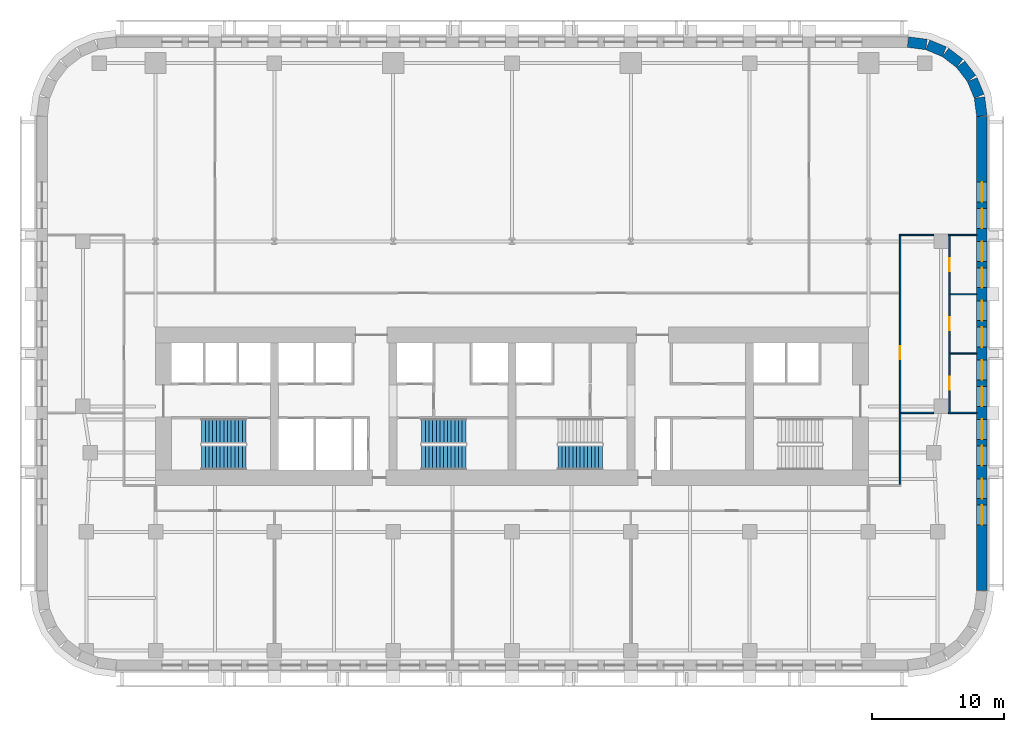
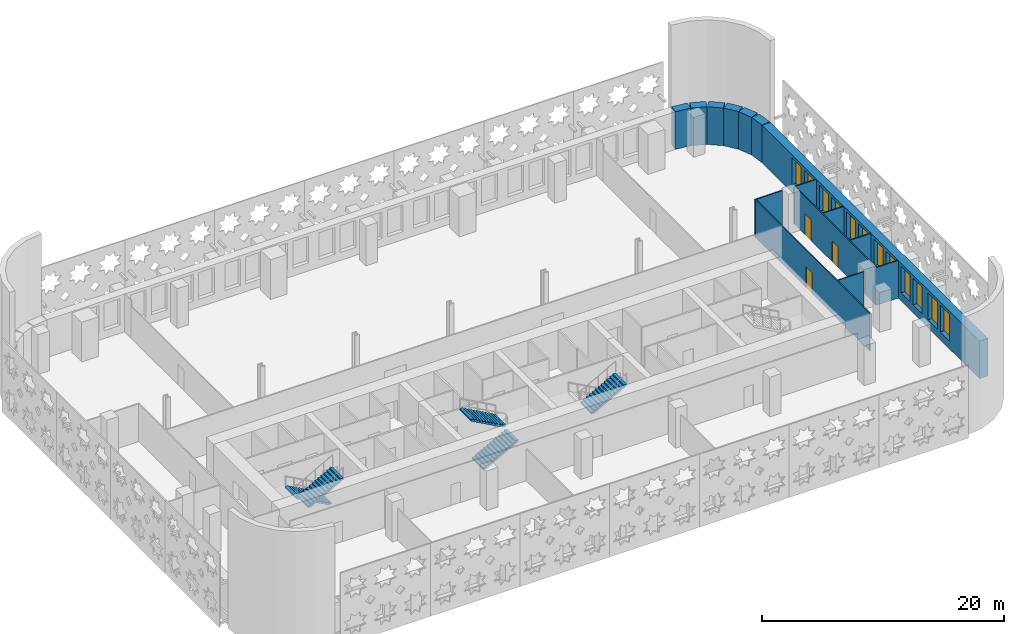
# One storey, part 7 of 13: 15 walls, 12 windows, 5 stair flights, 4 doors, 16 openings, 3 elements without a shape of their own.
"""IFC4 building model written with IfcOpenShell, lengths in metres."""

from ifc_helpers import new_model, si_unit, direction, frame, frame_2d, origin, place, context, subcontext, project, spatial, polyline, rectangle, outline, extrude, material, layer, layer_set, type_object, element, fill, aggregate, save


model = new_model("IFC4")

# Units and contexts
model_context = context("Model", 3, precision=1e-05, world=origin(), true_north=direction((0.0, 1.0)))
body_context = subcontext(model_context, "Body", "Model", "MODEL_VIEW")
ifc_project = project(units=[si_unit("LENGTHUNIT", "METRE"), si_unit("AREAUNIT", "SQUARE_METRE"), si_unit("VOLUMEUNIT", "CUBIC_METRE"), si_unit("PLANEANGLEUNIT", "RADIAN"), si_unit("MASSUNIT", "GRAM", prefix="KILO")], contexts=[model_context])

# Site, building, storey
site_placement = place(None, origin())
site = spatial("IfcSite", under=ifc_project, at=site_placement, CompositionType="ELEMENT")
building_placement = place(site_placement, origin())
building = spatial("IfcBuilding", under=site, at=building_placement, Name="Zellij Exchange Tower", CompositionType="ELEMENT")
storey_placement = place(building_placement, frame((0.0, 0.0, 52.5)))
storey = spatial("IfcBuildingStorey", under=building, at=storey_placement, Name="L09", CompositionType="ELEMENT", Elevation=52.5)

# Wall, openings, windows
ifc_material_1 = material(Name="Precast concrete C40/50", Category="concrete")
ifc_layer_1 = layer(ifc_material_1, 0.800048828125)
ifc_layer_set_1 = layer_set([ifc_layer_1], Name="Precast concrete C40/50")
wall_type_1 = type_object("IfcWallType", Name="ENV-EW1 Precast stone-piered wall 800", PredefinedType="SOLIDWALL", material=ifc_layer_set_1)
wall_1_placement = place(storey_placement, frame((35.60009765625, -21.947509765625, 0.0), z_axis=(0.0, 0.0, 1.0), x_axis=(0.0, 1.0, 0.0)))
wall_1 = element("IfcWall", 1, at=wall_1_placement, inside=storey, type_object=wall_type_1, Name="fac.L09.07", PredefinedType="SOLIDWALL", context=body_context, shape_type="SweptSolid", body=[
    extrude(rectangle(XDim=35.89501953125, YDim=0.800048828125, at=frame_2d((17.947509765625, 0.0))), origin(), (0.0, 0.0, 1.0), 3.800048828125),
])
opening_1_placement = place(wall_1_placement, frame((4.9638671875, 0.0, 0.800048828125)))
opening_1 = element("IfcOpeningElement", 2, at=opening_1_placement, cuts=wall_1, Name="Opening FZ1.25", PredefinedType="OPENING", context=body_context, shape_type="SweptSolid", body=[
    extrude(rectangle(XDim=1.5, YDim=2.699951171875, at=frame_2d((0.75, 1.35009765625))), frame((0.0, 0.412109375, 0.0), z_axis=(0.0, -1.0, 0.0), x_axis=(1.0, 0.0, 0.0)), (0.0, 0.0, 1.0), 0.823974609375),
])
opening_2_placement = place(wall_1_placement, frame((6.9638671875, 0.0, 0.800048828125)))
opening_2 = element("IfcOpeningElement", 3, at=opening_2_placement, cuts=wall_1, Name="Opening FZ1.26", PredefinedType="OPENING", context=body_context, shape_type="SweptSolid", body=[
    extrude(rectangle(XDim=1.5, YDim=2.699951171875, at=frame_2d((0.75, 1.35009765625))), frame((0.0, 0.412109375, 0.0), z_axis=(0.0, -1.0, 0.0), x_axis=(1.0, 0.0, 0.0)), (0.0, 0.0, 1.0), 0.823974609375),
])
opening_3_placement = place(wall_1_placement, frame((9.45751953125, 0.0, 0.800048828125)))
opening_3 = element("IfcOpeningElement", 4, at=opening_3_placement, cuts=wall_1, Name="Opening FZ1.27", PredefinedType="OPENING", context=body_context, shape_type="SweptSolid", body=[
    extrude(rectangle(XDim=1.5, YDim=2.699951171875, at=frame_2d((0.75, 1.35009765625))), frame((0.0, 0.412109375, 0.0), z_axis=(0.0, -1.0, 0.0), x_axis=(1.0, 0.0, 0.0)), (0.0, 0.0, 1.0), 0.823974609375),
])
opening_4_placement = place(wall_1_placement, frame((11.45751953125, 0.0, 0.800048828125)))
opening_4 = element("IfcOpeningElement", 5, at=opening_4_placement, cuts=wall_1, Name="Opening FZ1.28", PredefinedType="OPENING", context=body_context, shape_type="SweptSolid", body=[
    extrude(rectangle(XDim=1.5, YDim=2.699951171875, at=frame_2d((0.75, 1.35009765625))), frame((0.0, 0.412109375, 0.0), z_axis=(0.0, -1.0, 0.0), x_axis=(1.0, 0.0, 0.0)), (0.0, 0.0, 1.0), 0.823974609375),
])
opening_5_placement = place(wall_1_placement, frame((13.950927734375, 0.0, 0.800048828125)))
opening_5 = element("IfcOpeningElement", 6, at=opening_5_placement, cuts=wall_1, Name="Opening FZ1.29", PredefinedType="OPENING", context=body_context, shape_type="SweptSolid", body=[
    extrude(rectangle(XDim=1.5, YDim=2.699951171875, at=frame_2d((0.75, 1.35009765625))), frame((0.0, 0.412109375, 0.0), z_axis=(0.0, -1.0, 0.0), x_axis=(1.0, 0.0, 0.0)), (0.0, 0.0, 1.0), 0.823974609375),
])
opening_6_placement = place(wall_1_placement, frame((15.95068359375, 0.0, 0.800048828125)))
opening_6 = element("IfcOpeningElement", 7, at=opening_6_placement, cuts=wall_1, Name="Opening FZ1.30", PredefinedType="OPENING", context=body_context, shape_type="SweptSolid", body=[
    extrude(rectangle(XDim=1.5, YDim=2.699951171875, at=frame_2d((0.75, 1.35009765625))), frame((0.0, 0.412109375, 0.0), z_axis=(0.0, -1.0, 0.0), x_axis=(1.0, 0.0, 0.0)), (0.0, 0.0, 1.0), 0.823974609375),
])
opening_7_placement = place(wall_1_placement, frame((18.4443359375, 0.0, 0.800048828125)))
opening_7 = element("IfcOpeningElement", 8, at=opening_7_placement, cuts=wall_1, Name="Opening FZ1.31", PredefinedType="OPENING", context=body_context, shape_type="SweptSolid", body=[
    extrude(rectangle(XDim=1.5, YDim=2.699951171875, at=frame_2d((0.75, 1.35009765625))), frame((0.0, 0.412109375, 0.0), z_axis=(0.0, -1.0, 0.0), x_axis=(1.0, 0.0, 0.0)), (0.0, 0.0, 1.0), 0.823974609375),
])
opening_8_placement = place(wall_1_placement, frame((20.4443359375, 0.0, 0.800048828125)))
opening_8 = element("IfcOpeningElement", 9, at=opening_8_placement, cuts=wall_1, Name="Opening FZ1.32", PredefinedType="OPENING", context=body_context, shape_type="SweptSolid", body=[
    extrude(rectangle(XDim=1.5, YDim=2.699951171875, at=frame_2d((0.75, 1.35009765625))), frame((0.0, 0.412109375, 0.0), z_axis=(0.0, -1.0, 0.0), x_axis=(1.0, 0.0, 0.0)), (0.0, 0.0, 1.0), 0.823974609375),
])
opening_9_placement = place(wall_1_placement, frame((22.937744140625, 0.0, 0.800048828125)))
opening_9 = element("IfcOpeningElement", 10, at=opening_9_placement, cuts=wall_1, Name="Opening FZ1.33", PredefinedType="OPENING", context=body_context, shape_type="SweptSolid", body=[
    extrude(rectangle(XDim=1.5, YDim=2.699951171875, at=frame_2d((0.75, 1.35009765625))), frame((0.0, 0.412109375, 0.0), z_axis=(0.0, -1.0, 0.0), x_axis=(1.0, 0.0, 0.0)), (0.0, 0.0, 1.0), 0.823974609375),
])
opening_10_placement = place(wall_1_placement, frame((24.937744140625, 0.0, 0.800048828125)))
opening_10 = element("IfcOpeningElement", 11, at=opening_10_placement, cuts=wall_1, Name="Opening FZ1.34", PredefinedType="OPENING", context=body_context, shape_type="SweptSolid", body=[
    extrude(rectangle(XDim=1.5, YDim=2.699951171875, at=frame_2d((0.75, 1.35009765625))), frame((0.0, 0.412109375, 0.0), z_axis=(0.0, -1.0, 0.0), x_axis=(1.0, 0.0, 0.0)), (0.0, 0.0, 1.0), 0.823974609375),
])
opening_11_placement = place(wall_1_placement, frame((27.43115234375, 0.0, 0.800048828125)))
opening_11 = element("IfcOpeningElement", 12, at=opening_11_placement, cuts=wall_1, Name="Opening FZ1.35", PredefinedType="OPENING", context=body_context, shape_type="SweptSolid", body=[
    extrude(rectangle(XDim=1.5, YDim=2.699951171875, at=frame_2d((0.75, 1.35009765625))), frame((0.0, 0.412109375, 0.0), z_axis=(0.0, -1.0, 0.0), x_axis=(1.0, 0.0, 0.0)), (0.0, 0.0, 1.0), 0.823974609375),
])
opening_12_placement = place(wall_1_placement, frame((29.43115234375, 0.0, 0.800048828125)))
opening_12 = element("IfcOpeningElement", 13, at=opening_12_placement, cuts=wall_1, Name="Opening FZ1.36", PredefinedType="OPENING", context=body_context, shape_type="SweptSolid", body=[
    extrude(rectangle(XDim=1.5, YDim=2.699951171875, at=frame_2d((0.75, 1.35009765625))), frame((0.0, 0.412109375, 0.0), z_axis=(0.0, -1.0, 0.0), x_axis=(1.0, 0.0, 0.0)), (0.0, 0.0, 1.0), 0.823974609375),
])
ifc_material_2 = material(Name="Aluminium frame with insulating glass", Category="aluminium")
window_type = type_object("IfcWindowType", Name="ENV-W6 Window 1500x2700", PartitioningType="SINGLE_PANEL", PredefinedType="WINDOW", material=ifc_material_2)
window_1_placement = place(opening_1_placement, origin())
window_1 = element("IfcWindow", 14, at=window_1_placement, inside=storey, type_object=window_type, Name="Window FZ1.25", OverallHeight=2.699951171875, OverallWidth=1.5, PartitioningType="SINGLE_PANEL", PredefinedType="WINDOW", context=body_context, shape_type="SweptSolid", body=[
    extrude(rectangle(XDim=1.5, YDim=2.699951171875, at=frame_2d((0.75, 1.35009765625))), frame((0.0, 0.030029296875, 0.0), z_axis=(0.0, -1.0, 0.0), x_axis=(1.0, 0.0, 0.0)), (0.0, 0.0, 1.0), 0.06005859375),
])
fill(opening_1, window_1)
window_2_placement = place(opening_2_placement, origin())
window_2 = element("IfcWindow", 15, at=window_2_placement, inside=storey, type_object=window_type, Name="Window FZ1.26", OverallHeight=2.699951171875, OverallWidth=1.5, PartitioningType="SINGLE_PANEL", PredefinedType="WINDOW", context=body_context, shape_type="SweptSolid", body=[
    extrude(rectangle(XDim=1.5, YDim=2.699951171875, at=frame_2d((0.75, 1.35009765625))), frame((0.0, 0.030029296875, 0.0), z_axis=(0.0, -1.0, 0.0), x_axis=(1.0, 0.0, 0.0)), (0.0, 0.0, 1.0), 0.06005859375),
])
fill(opening_2, window_2)
window_3_placement = place(opening_3_placement, origin())
window_3 = element("IfcWindow", 16, at=window_3_placement, inside=storey, type_object=window_type, Name="Window FZ1.27", OverallHeight=2.699951171875, OverallWidth=1.5, PartitioningType="SINGLE_PANEL", PredefinedType="WINDOW", context=body_context, shape_type="SweptSolid", body=[
    extrude(rectangle(XDim=1.5, YDim=2.699951171875, at=frame_2d((0.75, 1.35009765625))), frame((0.0, 0.030029296875, 0.0), z_axis=(0.0, -1.0, 0.0), x_axis=(1.0, 0.0, 0.0)), (0.0, 0.0, 1.0), 0.06005859375),
])
fill(opening_3, window_3)
window_4_placement = place(opening_4_placement, origin())
window_4 = element("IfcWindow", 17, at=window_4_placement, inside=storey, type_object=window_type, Name="Window FZ1.28", OverallHeight=2.699951171875, OverallWidth=1.5, PartitioningType="SINGLE_PANEL", PredefinedType="WINDOW", context=body_context, shape_type="SweptSolid", body=[
    extrude(rectangle(XDim=1.5, YDim=2.699951171875, at=frame_2d((0.75, 1.35009765625))), frame((0.0, 0.030029296875, 0.0), z_axis=(0.0, -1.0, 0.0), x_axis=(1.0, 0.0, 0.0)), (0.0, 0.0, 1.0), 0.06005859375),
])
fill(opening_4, window_4)
window_5_placement = place(opening_5_placement, origin())
window_5 = element("IfcWindow", 18, at=window_5_placement, inside=storey, type_object=window_type, Name="Window FZ1.29", OverallHeight=2.699951171875, OverallWidth=1.5, PartitioningType="SINGLE_PANEL", PredefinedType="WINDOW", context=body_context, shape_type="SweptSolid", body=[
    extrude(rectangle(XDim=1.5, YDim=2.699951171875, at=frame_2d((0.75, 1.35009765625))), frame((0.0, 0.030029296875, 0.0), z_axis=(0.0, -1.0, 0.0), x_axis=(1.0, 0.0, 0.0)), (0.0, 0.0, 1.0), 0.06005859375),
])
fill(opening_5, window_5)
window_6_placement = place(opening_6_placement, origin())
window_6 = element("IfcWindow", 19, at=window_6_placement, inside=storey, type_object=window_type, Name="Window FZ1.30", OverallHeight=2.699951171875, OverallWidth=1.5, PartitioningType="SINGLE_PANEL", PredefinedType="WINDOW", context=body_context, shape_type="SweptSolid", body=[
    extrude(rectangle(XDim=1.5, YDim=2.699951171875, at=frame_2d((0.75, 1.35009765625))), frame((0.0, 0.030029296875, 0.0), z_axis=(0.0, -1.0, 0.0), x_axis=(1.0, 0.0, 0.0)), (0.0, 0.0, 1.0), 0.06005859375),
])
fill(opening_6, window_6)
window_7_placement = place(opening_7_placement, origin())
window_7 = element("IfcWindow", 20, at=window_7_placement, inside=storey, type_object=window_type, Name="Window FZ1.31", OverallHeight=2.699951171875, OverallWidth=1.5, PartitioningType="SINGLE_PANEL", PredefinedType="WINDOW", context=body_context, shape_type="SweptSolid", body=[
    extrude(rectangle(XDim=1.5, YDim=2.699951171875, at=frame_2d((0.75, 1.35009765625))), frame((0.0, 0.030029296875, 0.0), z_axis=(0.0, -1.0, 0.0), x_axis=(1.0, 0.0, 0.0)), (0.0, 0.0, 1.0), 0.06005859375),
])
fill(opening_7, window_7)
window_8_placement = place(opening_8_placement, origin())
window_8 = element("IfcWindow", 21, at=window_8_placement, inside=storey, type_object=window_type, Name="Window FZ1.32", OverallHeight=2.699951171875, OverallWidth=1.5, PartitioningType="SINGLE_PANEL", PredefinedType="WINDOW", context=body_context, shape_type="SweptSolid", body=[
    extrude(rectangle(XDim=1.5, YDim=2.699951171875, at=frame_2d((0.75, 1.35009765625))), frame((0.0, 0.030029296875, 0.0), z_axis=(0.0, -1.0, 0.0), x_axis=(1.0, 0.0, 0.0)), (0.0, 0.0, 1.0), 0.06005859375),
])
fill(opening_8, window_8)
window_9_placement = place(opening_9_placement, origin())
window_9 = element("IfcWindow", 22, at=window_9_placement, inside=storey, type_object=window_type, Name="Window FZ1.33", OverallHeight=2.699951171875, OverallWidth=1.5, PartitioningType="SINGLE_PANEL", PredefinedType="WINDOW", context=body_context, shape_type="SweptSolid", body=[
    extrude(rectangle(XDim=1.5, YDim=2.699951171875, at=frame_2d((0.75, 1.35009765625))), frame((0.0, 0.030029296875, 0.0), z_axis=(0.0, -1.0, 0.0), x_axis=(1.0, 0.0, 0.0)), (0.0, 0.0, 1.0), 0.06005859375),
])
fill(opening_9, window_9)
window_10_placement = place(opening_10_placement, origin())
window_10 = element("IfcWindow", 23, at=window_10_placement, inside=storey, type_object=window_type, Name="Window FZ1.34", OverallHeight=2.699951171875, OverallWidth=1.5, PartitioningType="SINGLE_PANEL", PredefinedType="WINDOW", context=body_context, shape_type="SweptSolid", body=[
    extrude(rectangle(XDim=1.5, YDim=2.699951171875, at=frame_2d((0.75, 1.35009765625))), frame((0.0, 0.030029296875, 0.0), z_axis=(0.0, -1.0, 0.0), x_axis=(1.0, 0.0, 0.0)), (0.0, 0.0, 1.0), 0.06005859375),
])
fill(opening_10, window_10)
window_11_placement = place(opening_11_placement, origin())
window_11 = element("IfcWindow", 24, at=window_11_placement, inside=storey, type_object=window_type, Name="Window FZ1.35", OverallHeight=2.699951171875, OverallWidth=1.5, PartitioningType="SINGLE_PANEL", PredefinedType="WINDOW", context=body_context, shape_type="SweptSolid", body=[
    extrude(rectangle(XDim=1.5, YDim=2.699951171875, at=frame_2d((0.75, 1.35009765625))), frame((0.0, 0.030029296875, 0.0), z_axis=(0.0, -1.0, 0.0), x_axis=(1.0, 0.0, 0.0)), (0.0, 0.0, 1.0), 0.06005859375),
])
fill(opening_11, window_11)
window_12_placement = place(opening_12_placement, origin())
window_12 = element("IfcWindow", 25, at=window_12_placement, inside=storey, type_object=window_type, Name="Window FZ1.36", OverallHeight=2.699951171875, OverallWidth=1.5, PartitioningType="SINGLE_PANEL", PredefinedType="WINDOW", context=body_context, shape_type="SweptSolid", body=[
    extrude(rectangle(XDim=1.5, YDim=2.699951171875, at=frame_2d((0.75, 1.35009765625))), frame((0.0, 0.030029296875, 0.0), z_axis=(0.0, -1.0, 0.0), x_axis=(1.0, 0.0, 0.0)), (0.0, 0.0, 1.0), 0.06005859375),
])
fill(opening_12, window_12)

# Walls
wall_2_placement = place(storey_placement, frame((35.5966796875, 13.999755859375, 0.0), z_axis=(0.0, 0.0, 1.0), x_axis=(-0.130517283865, 0.99144603414, 0.0)))
element("IfcWall", 26, at=wall_2_placement, inside=storey, type_object=wall_type_1, Name="fac.L09.08", PredefinedType="SOLIDWALL", context=body_context, shape_type="SweptSolid", body=[
    extrude(rectangle(XDim=1.408447265625, YDim=0.800048828125, at=frame_2d((0.7041015625, 0.0))), origin(), (0.0, 0.0, 1.0), 3.800048828125),
])
wall_3_placement = place(storey_placement, frame((35.3857421875, 15.497314453125, 0.0), z_axis=(0.0, 0.0, 1.0), x_axis=(-0.38276009378, 0.923847774587, 0.0)))
element("IfcWall", 27, at=wall_3_placement, inside=storey, type_object=wall_type_1, Name="fac.L09.09", PredefinedType="SOLIDWALL", context=body_context, shape_type="SweptSolid", body=[
    extrude(rectangle(XDim=1.35546875, YDim=0.800048828125, at=frame_2d((0.677734375, 0.0))), origin(), (0.0, 0.0, 1.0), 3.800048828125),
])
for number, where, z_axis, x_axis, name in (
    (28, (34.814697265625, 16.840087890625, 0.0), (0.0, 0.0, 1.0), (-0.608866226366, 0.793272915452, 0.0), "fac.L09.10"),
    (29, (33.91552734375, 17.9892578125, 0.0), (0.0, 0.0, 1.0), (-0.793272915452, 0.608866226366, 0.0), "fac.L09.11"),
):
    element("IfcWall", number, at=place(storey_placement, frame(where, z_axis=z_axis, x_axis=x_axis)), inside=storey, type_object=wall_type_1, Name=name, PredefinedType="SOLIDWALL", context=body_context, shape_type="SweptSolid", body=[
        extrude(rectangle(XDim=1.355712890625, YDim=0.800048828125, at=frame_2d((0.677734375, 0.0))), origin(), (0.0, 0.0, 1.0), 3.800048828125),
    ])
wall_4_placement = place(storey_placement, frame((32.74951171875, 18.866943359375, 0.0), z_axis=(0.0, 0.0, 1.0), x_axis=(-0.923847774587, 0.38276009378, 0.0)))
element("IfcWall", 30, at=wall_4_placement, inside=storey, type_object=wall_type_1, Name="fac.L09.12", PredefinedType="SOLIDWALL", context=body_context, shape_type="SweptSolid", body=[
    extrude(rectangle(XDim=1.35546875, YDim=0.800048828125, at=frame_2d((0.677734375, 0.0))), origin(), (0.0, 0.0, 1.0), 3.800048828125),
])
wall_5_placement = place(storey_placement, frame((31.396240234375, 19.412841796875, 0.0), z_axis=(0.0, 0.0, 1.0), x_axis=(-0.99144603414, 0.130517283865, 0.0)))
element("IfcWall", 31, at=wall_5_placement, inside=storey, type_object=wall_type_1, Name="fac.L09.13", PredefinedType="SOLIDWALL", context=body_context, shape_type="SweptSolid", body=[
    extrude(rectangle(XDim=1.408447265625, YDim=0.800048828125, at=frame_2d((0.7041015625, 0.0))), origin(), (0.0, 0.0, 1.0), 3.800048828125),
])

# Wall, opening, door
ifc_material_3 = material(Name="Gypsum board partition on steel studs", Category="steel")
ifc_layer_2 = layer(ifc_material_3, 0.10009765625)
ifc_layer_set_2 = layer_set([ifc_layer_2], Name="Gypsum board partition on steel studs")
wall_type_2 = type_object("IfcWallType", Name="FIT-PARTITION-100", PredefinedType="PARTITIONING", material=ifc_layer_set_2)
wall_6_placement = place(storey_placement, frame((29.39990234375, -13.949951171875, 0.0), z_axis=(0.0, 0.0, 1.0), x_axis=(0.0, 1.0, 0.0)))
wall_6 = element("IfcWall", 32, at=wall_6_placement, inside=storey, type_object=wall_type_2, Name="FIT-PARTITION-100 013", PredefinedType="PARTITIONING", context=body_context, shape_type="SweptSolid", body=[
    extrude(rectangle(XDim=18.889892578125, YDim=0.10009765625, at=frame_2d((9.44482421875, 0.0))), origin(), (0.0, 0.0, 1.0), 3.800048828125),
])
opening_13_placement = place(wall_6_placement, frame((9.510009765625, 0.0, 0.0)))
opening_13 = element("IfcOpeningElement", 33, at=opening_13_placement, cuts=wall_6, Name="Opening TA.07", PredefinedType="OPENING", context=body_context, shape_type="SweptSolid", body=[
    extrude(rectangle(XDim=1.0, YDim=2.10009765625, at=frame_2d((0.5, 1.050048828125))), frame((0.0, 0.06201171875, 0.0), z_axis=(0.0, -1.0, 0.0), x_axis=(1.0, 0.0, 0.0)), (0.0, 0.0, 1.0), 0.1240234375),
])
ifc_material_4 = material(Name="Timber door set", Category="wood")
door_type = type_object("IfcDoorType", Name="FIT-D2-WIDE-1000X2100", OperationType="SINGLE_SWING_LEFT", PredefinedType="DOOR", material=ifc_material_4)
door_1_placement = place(opening_13_placement, origin())
door_1 = element("IfcDoor", 34, at=door_1_placement, inside=storey, type_object=door_type, Name="Door TA.07", OperationType="SINGLE_SWING_LEFT", OverallHeight=2.10009765625, OverallWidth=1.0, PredefinedType="DOOR", context=body_context, shape_type="SweptSolid", body=[
    extrude(rectangle(XDim=1.0, YDim=2.10009765625, at=frame_2d((0.5, 1.050048828125))), frame((0.0, 0.02490234375, 0.0), z_axis=(0.0, -1.0, 0.0), x_axis=(1.0, 0.0, 0.0)), (0.0, 0.0, 1.0), 0.050048828125),
])
fill(opening_13, door_1)

# Walls
wall_7_placement = place(storey_placement, frame((29.449951171875, -8.489990234375, 0.0), z_axis=(0.0, 0.0, 1.0), x_axis=(1.0, 0.0, 0.0)))
element("IfcWall", 35, at=wall_7_placement, inside=storey, type_object=wall_type_2, Name="FIT-PARTITION-100 016", PredefinedType="PARTITIONING", context=body_context, shape_type="SweptSolid", body=[
    extrude(rectangle(XDim=2.5, YDim=0.10009765625, at=frame_2d((1.25, 0.0))), origin(), (0.0, 0.0, 1.0), 3.800048828125),
])
wall_8_placement = place(storey_placement, frame((33.050048828125, -8.489990234375, 0.0), z_axis=(0.0, 0.0, 1.0), x_axis=(1.0, 0.0, 0.0)))
element("IfcWall", 36, at=wall_8_placement, inside=storey, type_object=wall_type_2, Name="FIT-PARTITION-100 017", PredefinedType="PARTITIONING", context=body_context, shape_type="SweptSolid", body=[
    extrude(rectangle(XDim=2.14990234375, YDim=0.10009765625, at=frame_2d((1.074951171875, 0.0))), origin(), (0.0, 0.0, 1.0), 3.800048828125),
])

# Wall, openings, doors
wall_9_placement = place(storey_placement, frame((33.14990234375, -8.43994140625, 0.0), z_axis=(0.0, 0.0, 1.0), x_axis=(0.0, 1.0, 0.0)))
wall_9 = element("IfcWall", 37, at=wall_9_placement, inside=storey, type_object=wall_type_2, Name="FIT-PARTITION-100 018", PredefinedType="PARTITIONING", context=body_context, shape_type="SweptSolid", body=[
    extrude(rectangle(XDim=13.3798828125, YDim=0.10009765625, at=frame_2d((6.68994140625, 0.0))), origin(), (0.0, 0.0, 1.0), 3.800048828125),
])
opening_14_placement = place(wall_9_placement, frame((1.699951171875, 0.0, 0.0)))
opening_14 = element("IfcOpeningElement", 38, at=opening_14_placement, cuts=wall_9, Name="Opening TA.05", PredefinedType="OPENING", context=body_context, shape_type="SweptSolid", body=[
    extrude(rectangle(XDim=1.0, YDim=2.10009765625, at=frame_2d((0.5, 1.050048828125))), frame((0.0, 0.06201171875, 0.0), z_axis=(0.0, -1.0, 0.0), x_axis=(1.0, 0.0, 0.0)), (0.0, 0.0, 1.0), 0.1240234375),
])
opening_15_placement = place(wall_9_placement, frame((6.18994140625, 0.0, 0.0)))
opening_15 = element("IfcOpeningElement", 39, at=opening_15_placement, cuts=wall_9, Name="Opening TA.08", PredefinedType="OPENING", context=body_context, shape_type="SweptSolid", body=[
    extrude(rectangle(XDim=1.0, YDim=2.10009765625, at=frame_2d((0.5, 1.050048828125))), frame((0.0, 0.06201171875, 0.0), z_axis=(0.0, -1.0, 0.0), x_axis=(1.0, 0.0, 0.0)), (0.0, 0.0, 1.0), 0.1240234375),
])
opening_16_placement = place(wall_9_placement, frame((10.679931640625, 0.0, 0.0)))
opening_16 = element("IfcOpeningElement", 40, at=opening_16_placement, cuts=wall_9, Name="Opening TA.11", PredefinedType="OPENING", context=body_context, shape_type="SweptSolid", body=[
    extrude(rectangle(XDim=1.0, YDim=2.10009765625, at=frame_2d((0.5, 1.050048828125))), frame((0.0, 0.06201171875, 0.0), z_axis=(0.0, -1.0, 0.0), x_axis=(1.0, 0.0, 0.0)), (0.0, 0.0, 1.0), 0.1240234375),
])
door_2_placement = place(opening_14_placement, origin())
door_2 = element("IfcDoor", 41, at=door_2_placement, inside=storey, type_object=door_type, Name="Door TA.05", OperationType="SINGLE_SWING_RIGHT", OverallHeight=2.10009765625, OverallWidth=1.0, PredefinedType="DOOR", context=body_context, shape_type="SweptSolid", body=[
    extrude(rectangle(XDim=1.0, YDim=2.10009765625, at=frame_2d((0.5, 1.050048828125))), frame((0.0, 0.02490234375, 0.0), z_axis=(0.0, -1.0, 0.0), x_axis=(1.0, 0.0, 0.0)), (0.0, 0.0, 1.0), 0.050048828125),
])
fill(opening_14, door_2)
door_3_placement = place(opening_15_placement, origin())
door_3 = element("IfcDoor", 42, at=door_3_placement, inside=storey, type_object=door_type, Name="Door TA.08", OperationType="SINGLE_SWING_RIGHT", OverallHeight=2.10009765625, OverallWidth=1.0, PredefinedType="DOOR", context=body_context, shape_type="SweptSolid", body=[
    extrude(rectangle(XDim=1.0, YDim=2.10009765625, at=frame_2d((0.5, 1.050048828125))), frame((0.0, 0.02490234375, 0.0), z_axis=(0.0, -1.0, 0.0), x_axis=(1.0, 0.0, 0.0)), (0.0, 0.0, 1.0), 0.050048828125),
])
fill(opening_15, door_3)
door_4_placement = place(opening_16_placement, origin())
door_4 = element("IfcDoor", 43, at=door_4_placement, inside=storey, type_object=door_type, Name="Door TA.11", OperationType="SINGLE_SWING_LEFT", OverallHeight=2.10009765625, OverallWidth=1.0, PredefinedType="DOOR", context=body_context, shape_type="SweptSolid", body=[
    extrude(rectangle(XDim=1.0, YDim=2.10009765625, at=frame_2d((0.5, 1.050048828125))), frame((0.0, 0.02490234375, 0.0), z_axis=(0.0, -1.0, 0.0), x_axis=(1.0, 0.0, 0.0)), (0.0, 0.0, 1.0), 0.050048828125),
])
fill(opening_16, door_4)

# Walls
for number, where, z_axis, x_axis, name in (
    (44, (33.199951171875, -4.0, 0.0), (0.0, 0.0, 1.0), (1.0, 0.0, 0.0), "FIT-PARTITION-100 019"),
    (45, (33.199951171875, 0.489990234375, 0.0), (0.0, 0.0, 1.0), (1.0, 0.0, 0.0), "FIT-PARTITION-100 020"),
):
    element("IfcWall", number, at=place(storey_placement, frame(where, z_axis=z_axis, x_axis=x_axis)), inside=storey, type_object=wall_type_2, Name=name, PredefinedType="PARTITIONING", context=body_context, shape_type="SweptSolid", body=[
        extrude(rectangle(XDim=2.0, YDim=0.10009765625, at=frame_2d((1.0, 0.0))), origin(), (0.0, 0.0, 1.0), 3.800048828125),
    ])
wall_10_placement = place(storey_placement, frame((29.35009765625, 4.989990234375, 0.0), z_axis=(0.0, 0.0, 1.0), x_axis=(1.0, 0.0, 0.0)))
element("IfcWall", 46, at=wall_10_placement, inside=storey, type_object=wall_type_2, Name="FIT-PARTITION-100 028", PredefinedType="PARTITIONING", context=body_context, shape_type="SweptSolid", body=[
    extrude(rectangle(XDim=2.599853515625, YDim=0.10009765625, at=frame_2d((1.2998046875, 0.0))), origin(), (0.0, 0.0, 1.0), 3.800048828125),
])
wall_11_placement = place(storey_placement, frame((33.050048828125, 4.989990234375, 0.0), z_axis=(0.0, 0.0, 1.0), x_axis=(1.0, 0.0, 0.0)))
element("IfcWall", 47, at=wall_11_placement, inside=storey, type_object=wall_type_2, Name="FIT-PARTITION-100 029", PredefinedType="PARTITIONING", context=body_context, shape_type="SweptSolid", body=[
    extrude(rectangle(XDim=2.14990234375, YDim=0.10009765625, at=frame_2d((1.074951171875, 0.0))), origin(), (0.0, 0.0, 1.0), 3.800048828125),
])

# Stair, stair flights
ifc_material_5 = material(Name="Concrete C40/50", Category="concrete")
stair_type = type_object("IfcStairType", Name="CORE-ST exit stair 1850 wide", PredefinedType="HALF_TURN_STAIR", material=ifc_material_5)
stair_1_placement = place(storey_placement, origin())
stair_1 = element("IfcStair", 48, at=stair_1_placement, inside=storey, type_object=stair_type, Name="L09 exit stair ST1", PredefinedType="HALF_TURN_STAIR")
stair_flight_type = type_object("IfcStairFlightType", Name="CORE-SF flight 1850 riser 153.8 going 280", PredefinedType="STRAIGHT", material=ifc_material_5)
stair_flight_1_placement = place(storey_placement, frame((-20.14990234375, -9.875, 0.0), z_axis=(0.0, 0.0, 1.0), x_axis=(-1.0, 0.0, 0.0)))
stair_flight_1 = element("IfcStairFlight", 49, at=stair_flight_1_placement, type_object=stair_flight_type, Name="ST1 flight 1", NumberOfRisers=13, NumberOfTreads=12, PredefinedType="STRAIGHT", RiserHeight=0.153846154, TreadLength=0.28, context=body_context, shape_type="SweptSolid", body=[
    extrude(outline(polyline([(0.0, 0.0), (0.0, 0.15380859375), (0.280029296875, 0.15380859375), (0.280029296875, 0.3076171875), (0.56005859375, 0.3076171875), (0.56005859375, 0.46142578125), (0.840087890625, 0.46142578125), (0.840087890625, 0.615478515625), (1.1201171875, 0.615478515625), (1.1201171875, 0.769287109375), (1.39990234375, 0.769287109375), (1.39990234375, 0.923095703125), (1.679931640625, 0.923095703125), (1.679931640625, 1.076904296875), (1.9599609375, 1.076904296875), (1.9599609375, 1.230712890625), (2.239990234375, 1.230712890625), (2.239990234375, 1.384521484375), (2.52001953125, 1.384521484375), (2.52001953125, 1.53857421875), (2.800048828125, 1.53857421875), (2.800048828125, 1.6923828125), (3.080078125, 1.6923828125), (3.080078125, 1.84619140625), (3.360107421875, 1.84619140625), (3.360107421875, 2.0), (3.360107421875, 1.675048828125), (0.311279296875, 0.0), (0.0, 0.0)])), frame((0.0, 0.925048828125, 0.0), z_axis=(0.0, -1.0, 0.0), x_axis=(1.0, 0.0, 0.0)), (0.0, 0.0, 1.0), 1.85009765625),
])
stair_flight_2_placement = place(storey_placement, frame((-23.510009765625, -11.875, 2.0), z_axis=(0.0, 0.0, 1.0), x_axis=(1.0, 0.0, 0.0)))
stair_flight_2 = element("IfcStairFlight", 50, at=stair_flight_2_placement, type_object=stair_flight_type, Name="ST1 flight 2", NumberOfRisers=13, NumberOfTreads=12, PredefinedType="STRAIGHT", RiserHeight=0.153846154, TreadLength=0.28, context=body_context, shape_type="SweptSolid", body=[
    extrude(outline(polyline([(0.0, 0.0), (0.0, 0.15380859375), (0.280029296875, 0.15380859375), (0.280029296875, 0.3076171875), (0.56005859375, 0.3076171875), (0.56005859375, 0.46142578125), (0.840087890625, 0.46142578125), (0.840087890625, 0.615478515625), (1.1201171875, 0.615478515625), (1.1201171875, 0.769287109375), (1.39990234375, 0.769287109375), (1.39990234375, 0.923095703125), (1.679931640625, 0.923095703125), (1.679931640625, 1.076904296875), (1.9599609375, 1.076904296875), (1.9599609375, 1.230712890625), (2.239990234375, 1.230712890625), (2.239990234375, 1.384521484375), (2.52001953125, 1.384521484375), (2.52001953125, 1.53857421875), (2.800048828125, 1.53857421875), (2.800048828125, 1.6923828125), (3.080078125, 1.6923828125), (3.080078125, 1.84619140625), (3.360107421875, 1.84619140625), (3.360107421875, 2.0), (3.360107421875, 1.675048828125), (0.311279296875, 0.0), (0.0, 0.0)])), frame((0.0, 0.925048828125, 0.0), z_axis=(0.0, -1.0, 0.0), x_axis=(1.0, 0.0, 0.0)), (0.0, 0.0, 1.0), 1.85009765625),
])
aggregate(stair_1, [stair_flight_1, stair_flight_2])

stair_2_placement = place(storey_placement, origin())
stair_2 = element("IfcStair", 51, at=stair_2_placement, inside=storey, type_object=stair_type, Name="L09 exit stair ST2", PredefinedType="HALF_TURN_STAIR")
stair_flight_3_placement = place(storey_placement, frame((-6.85009765625, -11.875, 0.0), z_axis=(0.0, 0.0, 1.0), x_axis=(1.0, 0.0, 0.0)))
stair_flight_3 = element("IfcStairFlight", 52, at=stair_flight_3_placement, type_object=stair_flight_type, Name="ST2 flight 1", NumberOfRisers=13, NumberOfTreads=12, PredefinedType="STRAIGHT", RiserHeight=0.153846154, TreadLength=0.28, context=body_context, shape_type="SweptSolid", body=[
    extrude(outline(polyline([(0.0, 0.0), (0.0, 0.15380859375), (0.280029296875, 0.15380859375), (0.280029296875, 0.3076171875), (0.56005859375, 0.3076171875), (0.56005859375, 0.46142578125), (0.840087890625, 0.46142578125), (0.840087890625, 0.615478515625), (1.1201171875, 0.615478515625), (1.1201171875, 0.769287109375), (1.39990234375, 0.769287109375), (1.39990234375, 0.923095703125), (1.679931640625, 0.923095703125), (1.679931640625, 1.076904296875), (1.9599609375, 1.076904296875), (1.9599609375, 1.230712890625), (2.239990234375, 1.230712890625), (2.239990234375, 1.384521484375), (2.52001953125, 1.384521484375), (2.52001953125, 1.53857421875), (2.800048828125, 1.53857421875), (2.800048828125, 1.6923828125), (3.080078125, 1.6923828125), (3.080078125, 1.84619140625), (3.360107421875, 1.84619140625), (3.360107421875, 2.0), (3.360107421875, 1.675048828125), (0.311279296875, 0.0), (0.0, 0.0)])), frame((0.0, 0.925048828125, 0.0), z_axis=(0.0, -1.0, 0.0), x_axis=(1.0, 0.0, 0.0)), (0.0, 0.0, 1.0), 1.85009765625),
])
stair_flight_4_placement = place(storey_placement, frame((-3.489990234375, -9.875, 2.0), z_axis=(0.0, 0.0, 1.0), x_axis=(-1.0, 0.0, 0.0)))
stair_flight_4 = element("IfcStairFlight", 53, at=stair_flight_4_placement, type_object=stair_flight_type, Name="ST2 flight 2", NumberOfRisers=13, NumberOfTreads=12, PredefinedType="STRAIGHT", RiserHeight=0.153846154, TreadLength=0.28, context=body_context, shape_type="SweptSolid", body=[
    extrude(outline(polyline([(0.0, 0.0), (0.0, 0.15380859375), (0.280029296875, 0.15380859375), (0.280029296875, 0.3076171875), (0.56005859375, 0.3076171875), (0.56005859375, 0.46142578125), (0.840087890625, 0.46142578125), (0.840087890625, 0.615478515625), (1.1201171875, 0.615478515625), (1.1201171875, 0.769287109375), (1.39990234375, 0.769287109375), (1.39990234375, 0.923095703125), (1.679931640625, 0.923095703125), (1.679931640625, 1.076904296875), (1.9599609375, 1.076904296875), (1.9599609375, 1.230712890625), (2.239990234375, 1.230712890625), (2.239990234375, 1.384521484375), (2.52001953125, 1.384521484375), (2.52001953125, 1.53857421875), (2.800048828125, 1.53857421875), (2.800048828125, 1.6923828125), (3.080078125, 1.6923828125), (3.080078125, 1.84619140625), (3.360107421875, 1.84619140625), (3.360107421875, 2.0), (3.360107421875, 1.675048828125), (0.311279296875, 0.0), (0.0, 0.0)])), frame((0.0, 0.925048828125, 0.0), z_axis=(0.0, -1.0, 0.0), x_axis=(1.0, 0.0, 0.0)), (0.0, 0.0, 1.0), 1.85009765625),
])
aggregate(stair_2, [stair_flight_3, stair_flight_4])

# Stair, stair flight
stair_3_placement = place(storey_placement, origin())
stair_3 = element("IfcStair", 54, at=stair_3_placement, inside=storey, type_object=stair_type, Name="L09 exit stair ST3", PredefinedType="HALF_TURN_STAIR")
stair_flight_5_placement = place(storey_placement, frame((3.489990234375, -11.875, 2.0), z_axis=(0.0, 0.0, 1.0), x_axis=(1.0, 0.0, 0.0)))
stair_flight_5 = element("IfcStairFlight", 55, at=stair_flight_5_placement, type_object=stair_flight_type, Name="ST3 flight 2", NumberOfRisers=13, NumberOfTreads=12, PredefinedType="STRAIGHT", RiserHeight=0.153846154, TreadLength=0.28, context=body_context, shape_type="SweptSolid", body=[
    extrude(outline(polyline([(0.0, 0.0), (0.0, 0.15380859375), (0.280029296875, 0.15380859375), (0.280029296875, 0.3076171875), (0.56005859375, 0.3076171875), (0.56005859375, 0.46142578125), (0.840087890625, 0.46142578125), (0.840087890625, 0.615478515625), (1.1201171875, 0.615478515625), (1.1201171875, 0.769287109375), (1.39990234375, 0.769287109375), (1.39990234375, 0.923095703125), (1.679931640625, 0.923095703125), (1.679931640625, 1.076904296875), (1.9599609375, 1.076904296875), (1.9599609375, 1.230712890625), (2.239990234375, 1.230712890625), (2.239990234375, 1.384521484375), (2.52001953125, 1.384521484375), (2.52001953125, 1.53857421875), (2.800048828125, 1.53857421875), (2.800048828125, 1.6923828125), (3.080078125, 1.6923828125), (3.080078125, 1.84619140625), (3.360107421875, 1.84619140625), (3.360107421875, 2.0), (3.360107421875, 1.675048828125), (0.311279296875, 0.0), (0.0, 0.0)])), frame((0.0, 0.925048828125, 0.0), z_axis=(0.0, -1.0, 0.0), x_axis=(1.0, 0.0, 0.0)), (0.0, 0.0, 1.0), 1.85009765625),
])
aggregate(stair_3, [stair_flight_5])

save(model, "model.ifc")
